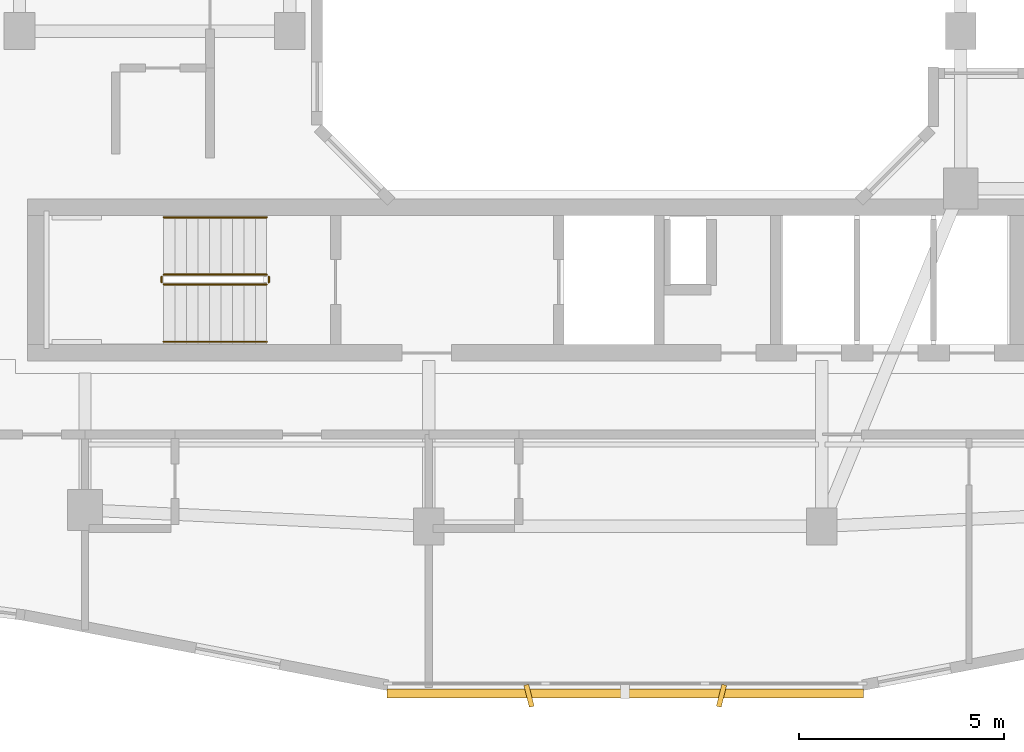
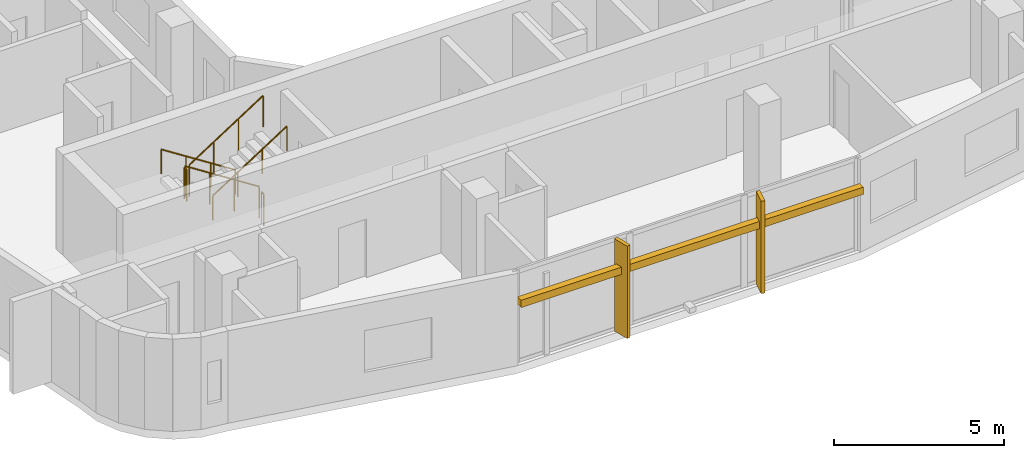
# One storey, part 9 of 12: 6 railings, 3 shading devices.
"""IFC4 building model written with IfcOpenShell, lengths in metres."""

from ifc_helpers import new_model, si_unit, derived_unit, direction, frame, origin, origin_2d, place, context, subcontext, project, spatial, rectangle, circle, extrude, material, type_object, element, save


model = new_model("IFC4")

# Units and contexts
model_context = context("Model", 3, precision=1e-05, world=origin(), true_north=direction((0.0, 1.0)))
body_context = subcontext(model_context, "Body", "Model", "MODEL_VIEW")
ifc_project = project(units=[si_unit("LENGTHUNIT", "METRE"), si_unit("AREAUNIT", "SQUARE_METRE"), si_unit("VOLUMEUNIT", "CUBIC_METRE"), si_unit("PLANEANGLEUNIT", "RADIAN"), si_unit("MASSUNIT", "GRAM", prefix="KILO"), derived_unit("THERMALTRANSMITTANCEUNIT", [(si_unit("POWERUNIT", "WATT"), 1), (si_unit("LENGTHUNIT", "METRE"), -2), (si_unit("THERMODYNAMICTEMPERATUREUNIT", "KELVIN"), -1)])], contexts=[model_context])

# Site, building, storey
site_placement = place(None, origin())
site = spatial("IfcSite", under=ifc_project, at=site_placement, CompositionType="ELEMENT")
building_placement = place(site_placement, origin())
building = spatial("IfcBuilding", under=site, at=building_placement, Name="Kivonza Crest Hotel", CompositionType="ELEMENT")
storey_placement = place(building_placement, frame((0.0, 0.0, 177.5)))
storey = spatial("IfcBuildingStorey", under=building, at=storey_placement, Name="L48", CompositionType="ELEMENT", Elevation=177.5)

# Railings
ifc_material_1 = material(Name="Brushed stainless steel handrail", Category="steel")
railing_type_1 = type_object("IfcRailingType", Name="RL-HAND-900", PredefinedType="HANDRAIL", material=ifc_material_1)
railing_1_placement = place(storey_placement, frame((12.239990234375, 16.949951171875, 0.179931640625)))
element("IfcRailing", 1, at=railing_1_placement, inside=storey, type_object=railing_type_1, Name="L48 ST-T1-S stair handrail 1", PredefinedType="HANDRAIL", context=body_context, shape_type="SweptSolid", body=[
    extrude(circle(Radius=0.02392578125, at=origin_2d()), frame((0.0, 0.0, 0.8759765625), z_axis=(-0.841162588446, 0.0, 0.540782303519), x_axis=(0.0, -1.0, 0.0)), (0.0, 0.0, 1.0), 2.995849609375),
    extrude(circle(Radius=0.02099609375, at=origin_2d()), origin(), (0.0, 0.0, 1.0), 0.851806640625),
    extrude(circle(Radius=0.02099609375, at=origin_2d()), frame((-0.840087890625, 0.0, 0.5400390625)), (0.0, 0.0, 1.0), 0.851806640625),
    extrude(circle(Radius=0.02099609375, at=origin_2d()), frame((-1.679931640625, 0.0, 1.080078125)), (0.0, 0.0, 1.0), 0.851806640625),
    extrude(circle(Radius=0.02099609375, at=origin_2d()), frame((-2.52001953125, 0.0, 1.6201171875)), (0.0, 0.0, 1.0), 0.851806640625),
])
railing_2_placement = place(storey_placement, frame((9.719970703125, 13.909912109375, 1.97998046875)))
element("IfcRailing", 2, at=railing_2_placement, inside=storey, type_object=railing_type_1, Name="L48 ST-T1-S stair handrail 2", PredefinedType="HANDRAIL", context=body_context, shape_type="SweptSolid", body=[
    extrude(circle(Radius=0.02392578125, at=origin_2d()), frame((0.0, 0.0, 0.8759765625), z_axis=(0.841162588446, 0.0, 0.540782303519), x_axis=(0.0, 1.0, 0.0)), (0.0, 0.0, 1.0), 2.995849609375),
    extrude(circle(Radius=0.02099609375, at=origin_2d()), origin(), (0.0, 0.0, 1.0), 0.851806640625),
    extrude(circle(Radius=0.02099609375, at=origin_2d()), frame((0.840087890625, 0.0, 0.5400390625)), (0.0, 0.0, 1.0), 0.851806640625),
    extrude(circle(Radius=0.02099609375, at=origin_2d()), frame((1.679931640625, 0.0, 1.080078125)), (0.0, 0.0, 1.0), 0.851806640625),
    extrude(circle(Radius=0.02099609375, at=origin_2d()), frame((2.52001953125, 0.0, 1.6201171875)), (0.0, 0.0, 1.0), 0.851806640625),
])
ifc_material_2 = material(Name="Painted steel balustrade", Category="steel")
railing_type_2 = type_object("IfcRailingType", Name="RL-STAIR-1150", PredefinedType="BALUSTRADE", material=ifc_material_2)
railing_3_placement = place(storey_placement, frame((12.239990234375, 15.550048828125, 0.179931640625)))
element("IfcRailing", 3, at=railing_3_placement, inside=storey, type_object=railing_type_2, Name="L48 ST-T1-S stair guard 1", PredefinedType="BALUSTRADE", context=body_context, shape_type="SweptSolid", body=[
    extrude(circle(Radius=0.02392578125, at=origin_2d()), frame((0.0, 0.0, 1.1259765625), z_axis=(-0.841162588446, 0.0, 0.540782303519), x_axis=(0.0, -1.0, 0.0)), (0.0, 0.0, 1.0), 2.995849609375),
    extrude(circle(Radius=0.02099609375, at=origin_2d()), origin(), (0.0, 0.0, 1.0), 1.101806640625),
    extrude(circle(Radius=0.02099609375, at=origin_2d()), frame((-0.840087890625, 0.0, 0.5400390625)), (0.0, 0.0, 1.0), 1.101806640625),
    extrude(circle(Radius=0.02099609375, at=origin_2d()), frame((-1.679931640625, 0.0, 1.080078125)), (0.0, 0.0, 1.0), 1.101806640625),
    extrude(circle(Radius=0.02099609375, at=origin_2d()), frame((-2.52001953125, 0.0, 1.6201171875)), (0.0, 0.0, 1.0), 1.101806640625),
])
railing_4_placement = place(storey_placement, frame((9.669921875, 15.5, 1.800048828125)))
element("IfcRailing", 4, at=railing_4_placement, inside=storey, type_object=railing_type_2, Name="L48 ST-T1-S stair guard 2", PredefinedType="BALUSTRADE", context=body_context, shape_type="SweptSolid", body=[
    extrude(circle(Radius=0.02392578125, at=origin_2d()), frame((0.0, 0.0, 1.1259765625), z_axis=(0.0, -1.0, 0.0), x_axis=(1.0, 0.0, 0.0)), (0.0, 0.0, 1.0), 0.139892578125),
    extrude(circle(Radius=0.02099609375, at=origin_2d()), origin(), (0.0, 0.0, 1.0), 1.101806640625),
    extrude(circle(Radius=0.02099609375, at=origin_2d()), frame((0.0, -0.139892578125, 0.0)), (0.0, 0.0, 1.0), 1.101806640625),
])
railing_5_placement = place(storey_placement, frame((9.719970703125, 15.31005859375, 1.97998046875)))
element("IfcRailing", 5, at=railing_5_placement, inside=storey, type_object=railing_type_2, Name="L48 ST-T1-S stair guard 3", PredefinedType="BALUSTRADE", context=body_context, shape_type="SweptSolid", body=[
    extrude(circle(Radius=0.02392578125, at=origin_2d()), frame((0.0, 0.0, 1.1259765625), z_axis=(0.841162588446, 0.0, 0.540782303519), x_axis=(0.0, 1.0, 0.0)), (0.0, 0.0, 1.0), 2.995849609375),
    extrude(circle(Radius=0.02099609375, at=origin_2d()), origin(), (0.0, 0.0, 1.0), 1.101806640625),
    extrude(circle(Radius=0.02099609375, at=origin_2d()), frame((0.840087890625, 0.0, 0.5400390625)), (0.0, 0.0, 1.0), 1.101806640625),
    extrude(circle(Radius=0.02099609375, at=origin_2d()), frame((1.679931640625, 0.0, 1.080078125)), (0.0, 0.0, 1.0), 1.101806640625),
    extrude(circle(Radius=0.02099609375, at=origin_2d()), frame((2.52001953125, 0.0, 1.6201171875)), (0.0, 0.0, 1.0), 1.101806640625),
])
railing_6_placement = place(storey_placement, frame((12.2900390625, 15.5, 0.0)))
element("IfcRailing", 6, at=railing_6_placement, inside=storey, type_object=railing_type_2, Name="L48 ST-T1-S stair guard 4", PredefinedType="BALUSTRADE", context=body_context, shape_type="SweptSolid", body=[
    extrude(circle(Radius=0.02392578125, at=origin_2d()), frame((0.0, 0.0, 1.1259765625), z_axis=(0.0, -1.0, 0.0), x_axis=(1.0, 0.0, 0.0)), (0.0, 0.0, 1.0), 0.139892578125),
    extrude(circle(Radius=0.02099609375, at=origin_2d()), origin(), (0.0, 0.0, 1.0), 1.101806640625),
    extrude(circle(Radius=0.02099609375, at=origin_2d()), frame((0.0, -0.139892578125, 0.0)), (0.0, 0.0, 1.0), 1.101806640625),
])

# Shading devices
ifc_material_3 = material(Name="Kiln-fired Nairobi red-ochre terracotta", Category="masonry")
shading_device_type_1 = type_object("IfcShadingDeviceType", Name="SH-BAGUETTE-300", PredefinedType="USERDEFINED", material=ifc_material_3)
shading_device_placement = place(storey_placement, frame((21.0, 5.320068359375, 2.19384765625), z_axis=(0.0, 0.0, 1.0), x_axis=(1.0, 0.0, 0.0)))
element("IfcShadingDevice", 7, at=shading_device_placement, inside=storey, type_object=shading_device_type_1, Name="L48 terracotta baguette screen CW-T1-L48-08", ObjectType="BAGUETTE", PredefinedType="USERDEFINED", context=body_context, shape_type="SweptSolid", body=[
    extrude(rectangle(XDim=11.639892578125, YDim=0.219970703125, at=origin_2d()), origin(), (0.0, 0.0, 1.0), 0.260009765625),
])
ifc_material_4 = material(Name="Kiln-fired terracotta over extruded aluminium spine", Category="masonry")
shading_device_type_2 = type_object("IfcShadingDeviceType", Name="SH-FIN-550", PredefinedType="USERDEFINED", material=ifc_material_4)
for number, where, z_axis, x_axis, name in (
    (8, (18.64794921875, 5.260009765625, 0.0), (0.0, 0.0, 1.0), (0.970295726276, 0.2419218956, 0.0), "L48 vertical solar shading fin CW-T1-L48-08-1"),
    (9, (23.35205078125, 5.260009765625, 0.0), (0.0, 0.0, 1.0), (0.970295726276, -0.2419218956, 0.0), "L48 vertical solar shading fin CW-T1-L48-08-2"),
):
    element("IfcShadingDevice", number, at=place(storey_placement, frame(where, z_axis=z_axis, x_axis=x_axis)), inside=storey, type_object=shading_device_type_2, Name=name, ObjectType="FIN", PredefinedType="USERDEFINED", context=body_context, shape_type="SweptSolid", body=[
        extrude(rectangle(XDim=0.1201171875, YDim=0.550048828125, at=origin_2d()), origin(), (0.0, 0.0, 1.0), 3.320068359375),
    ])

save(model, "model.ifc")
